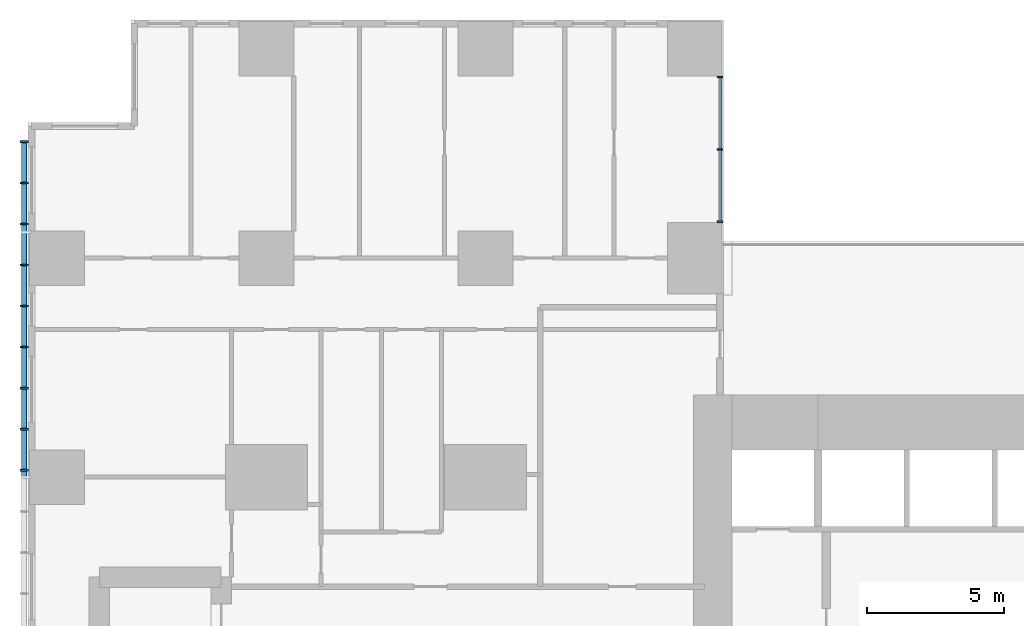
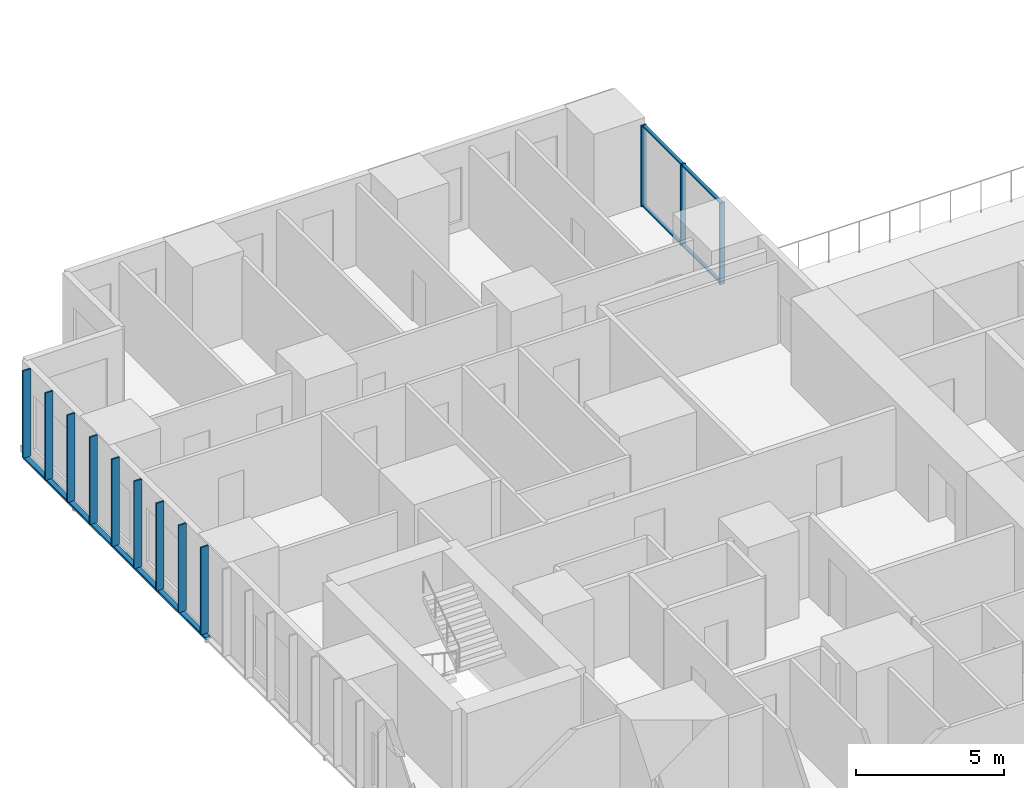
# One storey, part 4 of 20: 17 members, 1 element without a shape of its own.
"""IFC4 building model written with IfcOpenShell, lengths in metres."""

from ifc_helpers import new_model, si_unit, direction, frame, origin, origin_2d, place, context, subcontext, project, spatial, rectangle, hollow_rectangle, extrude, material, layer, layer_set, material_profile, profile_set, type_object, element, aggregate, save


model = new_model("IFC4")

# Units and contexts
model_context = context("Model", 3, precision=1e-05, world=origin(), true_north=direction((0.0, 1.0)))
body_context = subcontext(model_context, "Body", "Model", "MODEL_VIEW")
ifc_project = project(units=[si_unit("LENGTHUNIT", "METRE"), si_unit("AREAUNIT", "SQUARE_METRE"), si_unit("VOLUMEUNIT", "CUBIC_METRE"), si_unit("PLANEANGLEUNIT", "RADIAN"), si_unit("MASSUNIT", "GRAM", prefix="KILO")], contexts=[model_context])

# Site, building, storey
site_placement = place(None, origin())
site = spatial("IfcSite", under=ifc_project, at=site_placement, CompositionType="ELEMENT")
building_placement = place(site_placement, origin())
building = spatial("IfcBuilding", under=site, at=building_placement, Name="Cleftline Residences", CompositionType="ELEMENT")
storey_placement = place(building_placement, frame((0.0, 0.0, 96.199951171875)))
storey = spatial("IfcBuildingStorey", under=building, at=storey_placement, Name="L24", CompositionType="ELEMENT", Elevation=96.199951171875)

# Member
ifc_material_1 = material(Name="Steel S355, hot-dip galvanised", Category="steel")
ifc_material_profile_1 = material_profile(ifc_material_1, hollow_rectangle(XDim=0.10009765625, YDim=0.199951171875, WallThickness=0.008056640625, InnerFilletRadius=0.008056640625, OuterFilletRadius=0.011962890625, at=origin_2d()))
ifc_profile_set_1 = profile_set([ifc_material_profile_1], Name="Steel S355, hot-dip galvanised")
member_type_1 = type_object("IfcMemberType", Name="BAGUETTE CARRIER RHS 200X100X8", PredefinedType="USERDEFINED", material=ifc_profile_set_1)
member_1_placement = place(storey_placement, frame((-0.85009765625, 44.300048828125, -0.050048828125), z_axis=(0.0, -1.0, 0.0), x_axis=(0.0, 0.0, 1.0)))
element("IfcMember", 1, at=member_1_placement, inside=storey, type_object=member_type_1, Name="Baguette carrier", ObjectType="BAGUETTE CARRIER", PredefinedType="USERDEFINED", context=body_context, shape_type="SweptSolid", body=[
    extrude(hollow_rectangle(XDim=0.10009765625, YDim=0.199951171875, WallThickness=0.008056640625, InnerFilletRadius=0.008056640625, OuterFilletRadius=0.011962890625, at=origin_2d()), origin(), (0.0, 0.0, 1.0), 12.300048828125),
])

# Curtain wall, members
ifc_material_2 = material(Name="Aluminium framed curtain wall", Category="aluminium")
ifc_layer = layer(ifc_material_2, 0.199951171875)
ifc_layer_set = layer_set([ifc_layer], Name="CW1 CLEFT GLAZING")
curtain_wall_type = type_object("IfcCurtainWallType", Name="CW1 CLEFT GLAZING", PredefinedType="NOTDEFINED", material=ifc_layer_set)
curtain_wall_placement = place(storey_placement, origin())
curtain_wall = element("IfcCurtainWall", 2, at=curtain_wall_placement, inside=storey, type_object=curtain_wall_type, Name="Curtain wall CW1", PredefinedType="NOTDEFINED")
ifc_material_3 = material(Name="Aluminium mullion", Category="aluminium")
ifc_material_profile_2 = material_profile(ifc_material_3, rectangle(XDim=0.199951171875, YDim=0.06005859375, at=origin_2d()))
ifc_profile_set_2 = profile_set([ifc_material_profile_2], Name="Aluminium mullion")
member_type_2 = type_object("IfcMemberType", Name="CW1 MULLION", PredefinedType="MULLION", material=ifc_profile_set_2)
member_2_placement = place(storey_placement, frame((24.574951171875, 41.330078125, 0.0), z_axis=(0.0, 0.0, 1.0), x_axis=(-1.0, 0.0, 0.0)))
member_2 = element("IfcMember", 3, at=member_2_placement, type_object=member_type_2, Name="CW1 mullion 1", PredefinedType="MULLION", context=body_context, shape_type="SweptSolid", body=[
    extrude(rectangle(XDim=0.199951171875, YDim=0.06005859375, at=origin_2d()), origin(), (0.0, 0.0, 1.0), 3.35009765625),
])
member_3_placement = place(storey_placement, frame((24.574951171875, 43.97509765625, 0.0), z_axis=(0.0, 0.0, 1.0), x_axis=(-1.0, 0.0, 0.0)))
member_3 = element("IfcMember", 4, at=member_3_placement, type_object=member_type_2, Name="CW1 mullion 2", PredefinedType="MULLION", context=body_context, shape_type="SweptSolid", body=[
    extrude(rectangle(XDim=0.199951171875, YDim=0.06005859375, at=origin_2d()), origin(), (0.0, 0.0, 1.0), 3.35009765625),
])
member_4_placement = place(storey_placement, frame((24.574951171875, 46.6201171875, 0.0), z_axis=(0.0, 0.0, 1.0), x_axis=(-1.0, 0.0, 0.0)))
member_4 = element("IfcMember", 5, at=member_4_placement, type_object=member_type_2, Name="CW1 mullion 3", PredefinedType="MULLION", context=body_context, shape_type="SweptSolid", body=[
    extrude(rectangle(XDim=0.199951171875, YDim=0.06005859375, at=origin_2d()), origin(), (0.0, 0.0, 1.0), 3.35009765625),
])
ifc_material_4 = material(Name="Aluminium transom", Category="aluminium")
ifc_material_profile_3 = material_profile(ifc_material_4, rectangle(XDim=0.1201171875, YDim=0.06005859375, at=origin_2d()))
ifc_profile_set_3 = profile_set([ifc_material_profile_3], Name="Aluminium transom")
member_type_3 = type_object("IfcMemberType", Name="CW1 TRANSOM", PredefinedType="USERDEFINED", material=ifc_profile_set_3)
member_5_placement = place(storey_placement, frame((24.574951171875, 41.360107421875, 0.030029296875), z_axis=(0.0, 1.0, 0.0), x_axis=(-1.0, 0.0, 0.0)))
member_5 = element("IfcMember", 6, at=member_5_placement, type_object=member_type_3, Name="CW1 transom 1.1", ObjectType="TRANSOM", PredefinedType="USERDEFINED", context=body_context, shape_type="SweptSolid", body=[
    extrude(rectangle(XDim=0.1201171875, YDim=0.06005859375, at=origin_2d()), origin(), (0.0, 0.0, 1.0), 2.5849609375),
])
member_6_placement = place(storey_placement, frame((24.574951171875, 41.360107421875, 3.320068359375), z_axis=(0.0, 1.0, 0.0), x_axis=(-1.0, 0.0, 0.0)))
member_6 = element("IfcMember", 7, at=member_6_placement, type_object=member_type_3, Name="CW1 transom 1.2", ObjectType="TRANSOM", PredefinedType="USERDEFINED", context=body_context, shape_type="SweptSolid", body=[
    extrude(rectangle(XDim=0.1201171875, YDim=0.06005859375, at=origin_2d()), origin(), (0.0, 0.0, 1.0), 2.5849609375),
])
member_7_placement = place(storey_placement, frame((24.574951171875, 44.0048828125, 0.030029296875), z_axis=(0.0, 1.0, 0.0), x_axis=(-1.0, 0.0, 0.0)))
member_7 = element("IfcMember", 8, at=member_7_placement, type_object=member_type_3, Name="CW1 transom 2.1", ObjectType="TRANSOM", PredefinedType="USERDEFINED", context=body_context, shape_type="SweptSolid", body=[
    extrude(rectangle(XDim=0.1201171875, YDim=0.06005859375, at=origin_2d()), origin(), (0.0, 0.0, 1.0), 2.585205078125),
])
member_8_placement = place(storey_placement, frame((24.574951171875, 44.0048828125, 3.320068359375), z_axis=(0.0, 1.0, 0.0), x_axis=(-1.0, 0.0, 0.0)))
member_8 = element("IfcMember", 9, at=member_8_placement, type_object=member_type_3, Name="CW1 transom 2.2", ObjectType="TRANSOM", PredefinedType="USERDEFINED", context=body_context, shape_type="SweptSolid", body=[
    extrude(rectangle(XDim=0.1201171875, YDim=0.06005859375, at=origin_2d()), origin(), (0.0, 0.0, 1.0), 2.585205078125),
])
aggregate(curtain_wall, [member_2, member_3, member_4, member_5, member_6, member_7, member_8])

# Members
ifc_material_5 = material(Name="Extruded terracotta", Category="masonry")
ifc_material_profile_4 = material_profile(ifc_material_5, rectangle(XDim=0.06005859375, YDim=0.300048828125, at=origin_2d()))
ifc_profile_set_4 = profile_set([ifc_material_profile_4], Name="Extruded terracotta")
member_type_4 = type_object("IfcMemberType", Name="TERRACOTTA BAGUETTE 60X300", PredefinedType="USERDEFINED", material=ifc_profile_set_4)
for number, where, z_axis, x_axis, name in (
    (10, (-0.85009765625, 44.25, 0.0), (0.0, 0.0, 1.0), (0.0, 1.0, 0.0), "Terracotta baguette"),
    (11, (-0.85009765625, 42.75, 0.0), (0.0, 0.0, 1.0), (0.0, 1.0, 0.0), "Terracotta baguette"),
    (12, (-0.85009765625, 41.25, 0.0), (0.0, 0.0, 1.0), (0.0, 1.0, 0.0), "Terracotta baguette"),
    (13, (-0.85009765625, 39.75, 0.0), (0.0, 0.0, 1.0), (0.0, 1.0, 0.0), "Terracotta baguette"),
    (14, (-0.85009765625, 38.25, 0.0), (0.0, 0.0, 1.0), (0.0, 1.0, 0.0), "Terracotta baguette"),
    (15, (-0.85009765625, 36.75, 0.0), (0.0, 0.0, 1.0), (0.0, 1.0, 0.0), "Terracotta baguette"),
    (16, (-0.85009765625, 35.25, 0.0), (0.0, 0.0, 1.0), (0.0, 1.0, 0.0), "Terracotta baguette"),
    (17, (-0.85009765625, 33.75, 0.0), (0.0, 0.0, 1.0), (0.0, 1.0, 0.0), "Terracotta baguette"),
    (18, (-0.85009765625, 32.25, 0.0), (0.0, 0.0, 1.0), (0.0, 1.0, 0.0), "Terracotta baguette"),
):
    element("IfcMember", number, at=place(storey_placement, frame(where, z_axis=z_axis, x_axis=x_axis)), inside=storey, type_object=member_type_4, Name=name, ObjectType="BAGUETTE", PredefinedType="USERDEFINED", context=body_context, shape_type="SweptSolid", body=[
        extrude(rectangle(XDim=0.06005859375, YDim=0.300048828125, at=origin_2d()), origin(), (0.0, 0.0, 1.0), 3.60009765625),
    ])

save(model, "model.ifc")
